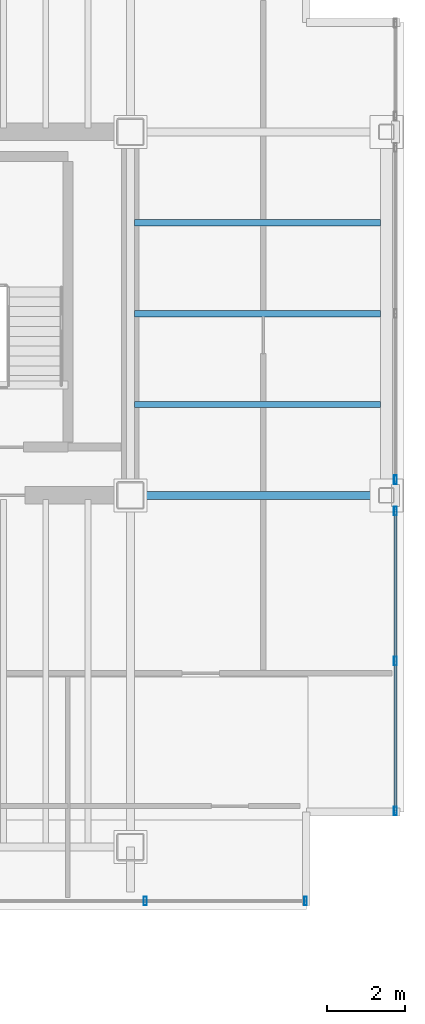
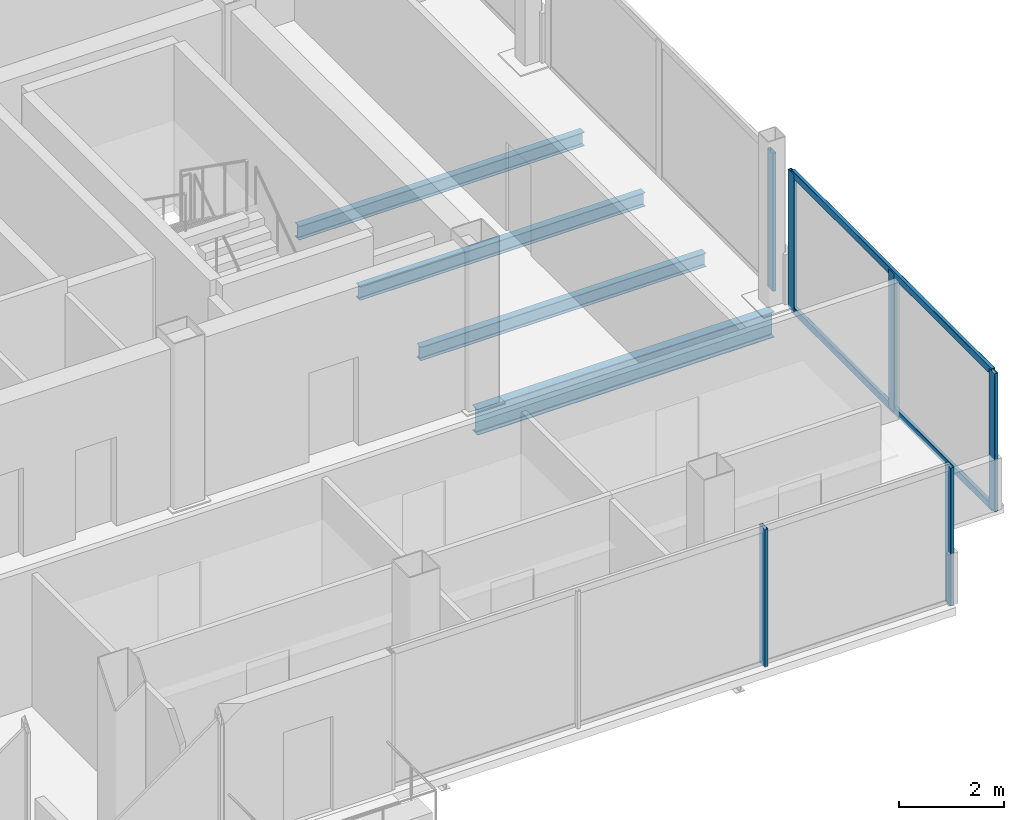
# One storey, part 11 of 17: 8 members, 4 beams, 3 elements without a shape of their own.
"""IFC4 building model written with IfcOpenShell, lengths in metres."""

from ifc_helpers import new_model, si_unit, direction, frame, origin, origin_2d, place, context, subcontext, project, spatial, hollow_rectangle, i_section, extrude, material, material_profile, profile_set, type_object, element, aggregate, save


model = new_model("IFC4")

# Units and contexts
model_context = context("Model", 3, precision=1e-05, world=origin(), true_north=direction((0.0, 1.0)))
body_context = subcontext(model_context, "Body", "Model", "MODEL_VIEW")
ifc_project = project(units=[si_unit("LENGTHUNIT", "METRE"), si_unit("AREAUNIT", "SQUARE_METRE"), si_unit("VOLUMEUNIT", "CUBIC_METRE"), si_unit("PLANEANGLEUNIT", "RADIAN"), si_unit("MASSUNIT", "GRAM", prefix="KILO")], contexts=[model_context])

# Site, building, storey
site_placement = place(None, origin())
site = spatial("IfcSite", under=ifc_project, at=site_placement, CompositionType="ELEMENT")
building_placement = place(site_placement, origin())
building = spatial("IfcBuilding", under=site, at=building_placement, Name="Noeulbin Bourse Tower", CompositionType="ELEMENT")
storey_placement = place(building_placement, frame((0.0, 0.0, 293.0)))
storey = spatial("IfcBuildingStorey", under=building, at=storey_placement, Name="L73", CompositionType="ELEMENT", Elevation=293.0)

# Beams
ifc_material_1 = material(Name="Steel S355", Category="steel")
ifc_material_profile_1 = material_profile(ifc_material_1, i_section(OverallWidth=0.199951171875, OverallDepth=0.60009765625, WebThickness=0.010986328125, FlangeThickness=0.01708984375, FilletRadius=0.02197265625, at=origin_2d()), Name="H-600x200x11x17", Category="LoadBearing")
ifc_profile_set_1 = profile_set([ifc_material_profile_1], Name="Steel S355")
beam_type_1 = type_object("IfcBeamType", Name="BM-GRD-600", PredefinedType="USERDEFINED", material=ifc_profile_set_1)
beam_placement = place(storey_placement, frame((44.0, 29.0, -0.47998046875), z_axis=(1.0, 0.0, 0.0), x_axis=(0.0, 1.0, 0.0)))
element("IfcBeam", 1, at=beam_placement, inside=storey, type_object=beam_type_1, Name="Tower Primary Girder EW L73-2.4", ObjectType="GIRDER", PredefinedType="USERDEFINED", context=body_context, shape_type="SweptSolid", body=[
    extrude(i_section(OverallWidth=0.199951171875, OverallDepth=0.60009765625, WebThickness=0.010986328125, FlangeThickness=0.01708984375, FilletRadius=0.02197265625, at=origin_2d()), origin(), (0.0, 0.0, 1.0), 6.550048828125),
])
ifc_material_profile_2 = material_profile(ifc_material_1, i_section(OverallWidth=0.159912109375, OverallDepth=0.320068359375, WebThickness=0.006591796875, FlangeThickness=0.010009765625, FilletRadius=0.012939453125, at=origin_2d()), Name="H-320x160x6.5x10", Category="LoadBearing")
ifc_profile_set_2 = profile_set([ifc_material_profile_2], Name="Steel S355")
beam_type_2 = type_object("IfcBeamType", Name="BM-JST-320", PredefinedType="JOIST", material=ifc_profile_set_2)
for number, where, z_axis, x_axis, name in (
    (2, (44.10009765625, 31.324951171875, -0.340087890625), (1.0, 0.0, 0.0), (0.0, 1.0, 0.0), "Wing Composite Joist L73-E31"),
    (3, (44.10009765625, 33.64990234375, -0.340087890625), (1.0, 0.0, 0.0), (0.0, 1.0, 0.0), "Wing Composite Joist L73-E32"),
    (4, (44.10009765625, 35.97509765625, -0.340087890625), (1.0, 0.0, 0.0), (0.0, 1.0, 0.0), "Wing Composite Joist L73-E33"),
):
    element("IfcBeam", number, at=place(storey_placement, frame(where, z_axis=z_axis, x_axis=x_axis)), inside=storey, type_object=beam_type_2, Name=name, PredefinedType="JOIST", context=body_context, shape_type="SweptSolid", body=[
        extrude(i_section(OverallWidth=0.159912109375, OverallDepth=0.320068359375, WebThickness=0.006591796875, FlangeThickness=0.010009765625, FilletRadius=0.012939453125, at=origin_2d()), origin(), (0.0, 0.0, 1.0), 6.2998046875),
    ])

# Curtain wall, members
ifc_material_2 = material(Name="High-Selectivity Low-Iron Glazing", Category="glass")
curtain_wall_type = type_object("IfcCurtainWallType", Name="CW-SYS-4", PredefinedType="NOTDEFINED", material=ifc_material_2)
curtain_wall_1_placement = place(storey_placement, origin())
curtain_wall_1 = element("IfcCurtainWall", 5, at=curtain_wall_1_placement, inside=storey, type_object=curtain_wall_type, Name="Unitised Curtain Wall CW-L73-S3", PredefinedType="NOTDEFINED")
ifc_material_3 = material(Name="Anodised Aluminium 6063-T6", Category="aluminium")
ifc_material_profile_3 = material_profile(ifc_material_3, hollow_rectangle(XDim=0.074951171875, YDim=0.219970703125, WallThickness=0.0048828125, InnerFilletRadius=0.00244140625, OuterFilletRadius=0.0048828125, at=origin_2d()), Name="ALU-MULL-75x220x5", Category="LoadBearing")
ifc_profile_set_3 = profile_set([ifc_material_profile_3], Name="Anodised Aluminium 6063-T6")
member_type_1 = type_object("IfcMemberType", Name="CW-SYS-4-MUL", PredefinedType="MULLION", material=ifc_profile_set_3)
member_1_placement = place(storey_placement, frame((44.3798828125, 18.6201171875, -0.02001953125), z_axis=(0.0, 0.0, 1.0), x_axis=(1.0, 0.0, 0.0)))
member_1 = element("IfcMember", 6, at=member_1_placement, type_object=member_type_1, Name="Curtain Wall Mullion CW-L73-S3-M02", PredefinedType="MULLION", context=body_context, shape_type="SweptSolid", body=[
    extrude(hollow_rectangle(XDim=0.074951171875, YDim=0.219970703125, WallThickness=0.0048828125, InnerFilletRadius=0.00244140625, OuterFilletRadius=0.0048828125, at=origin_2d()), origin(), (0.0, 0.0, 1.0), 3.219970703125),
])
member_2_placement = place(storey_placement, frame((48.47998046875, 18.6201171875, -0.02001953125), z_axis=(0.0, 0.0, 1.0), x_axis=(1.0, 0.0, 0.0)))
member_2 = element("IfcMember", 7, at=member_2_placement, type_object=member_type_1, Name="Curtain Wall Mullion CW-L73-S3-M03", PredefinedType="MULLION", context=body_context, shape_type="SweptSolid", body=[
    extrude(hollow_rectangle(XDim=0.074951171875, YDim=0.219970703125, WallThickness=0.0048828125, InnerFilletRadius=0.00244140625, OuterFilletRadius=0.0048828125, at=origin_2d()), origin(), (0.0, 0.0, 1.0), 3.219970703125),
])
aggregate(curtain_wall_1, [member_1, member_2])

curtain_wall_2_placement = place(storey_placement, origin())
curtain_wall_2 = element("IfcCurtainWall", 8, at=curtain_wall_2_placement, inside=storey, type_object=curtain_wall_type, Name="Unitised Curtain Wall CW-L73-E-S1", PredefinedType="NOTDEFINED")
member_3_placement = place(storey_placement, frame((50.780029296875, 20.919921875, -0.02001953125), z_axis=(0.0, 0.0, 1.0), x_axis=(1.0, 0.0, 0.0)))
member_3 = element("IfcMember", 9, at=member_3_placement, type_object=member_type_1, Name="Curtain Wall Mullion CW-L73-E-S1-M00", PredefinedType="MULLION", context=body_context, shape_type="SweptSolid", body=[
    extrude(hollow_rectangle(XDim=0.074951171875, YDim=0.219970703125, WallThickness=0.0048828125, InnerFilletRadius=0.00244140625, OuterFilletRadius=0.0048828125, at=origin_2d()), origin(), (0.0, 0.0, 1.0), 3.219970703125),
])
member_4_placement = place(storey_placement, frame((50.780029296875, 24.760009765625, -0.02001953125), z_axis=(0.0, 0.0, 1.0), x_axis=(1.0, 0.0, 0.0)))
member_4 = element("IfcMember", 10, at=member_4_placement, type_object=member_type_1, Name="Curtain Wall Mullion CW-L73-E-S1-M01", PredefinedType="MULLION", context=body_context, shape_type="SweptSolid", body=[
    extrude(hollow_rectangle(XDim=0.074951171875, YDim=0.219970703125, WallThickness=0.0048828125, InnerFilletRadius=0.00244140625, OuterFilletRadius=0.0048828125, at=origin_2d()), origin(), (0.0, 0.0, 1.0), 3.219970703125),
])
member_5_placement = place(storey_placement, frame((50.780029296875, 28.60009765625, -0.02001953125), z_axis=(0.0, 0.0, 1.0), x_axis=(1.0, 0.0, 0.0)))
member_5 = element("IfcMember", 11, at=member_5_placement, type_object=member_type_1, Name="Curtain Wall Mullion CW-L73-E-S1-M02", PredefinedType="MULLION", context=body_context, shape_type="SweptSolid", body=[
    extrude(hollow_rectangle(XDim=0.074951171875, YDim=0.219970703125, WallThickness=0.0048828125, InnerFilletRadius=0.00244140625, OuterFilletRadius=0.0048828125, at=origin_2d()), origin(), (0.0, 0.0, 1.0), 3.219970703125),
])

# Curtain wall, member
curtain_wall_3_placement = place(storey_placement, origin())
curtain_wall_3 = element("IfcCurtainWall", 12, at=curtain_wall_3_placement, inside=storey, type_object=curtain_wall_type, Name="Unitised Curtain Wall CW-L73-E-S2", PredefinedType="NOTDEFINED")
member_6_placement = place(storey_placement, frame((50.780029296875, 29.39990234375, -0.02001953125), z_axis=(0.0, 0.0, 1.0), x_axis=(1.0, 0.0, 0.0)))
member_6 = element("IfcMember", 13, at=member_6_placement, type_object=member_type_1, Name="Curtain Wall Mullion CW-L73-E-S2-M00", PredefinedType="MULLION", context=body_context, shape_type="SweptSolid", body=[
    extrude(hollow_rectangle(XDim=0.074951171875, YDim=0.219970703125, WallThickness=0.0048828125, InnerFilletRadius=0.00244140625, OuterFilletRadius=0.0048828125, at=origin_2d()), origin(), (0.0, 0.0, 1.0), 3.219970703125),
])
aggregate(curtain_wall_3, [member_6])

# Member
ifc_material_profile_4 = material_profile(ifc_material_3, hollow_rectangle(XDim=0.074951171875, YDim=0.159912109375, WallThickness=0.0048828125, InnerFilletRadius=0.00244140625, OuterFilletRadius=0.0048828125, at=origin_2d()), Name="ALU-TRAN-75x160x5", Category="LoadBearing")
ifc_profile_set_4 = profile_set([ifc_material_profile_4], Name="Anodised Aluminium 6063-T6")
member_type_2 = type_object("IfcMemberType", Name="CW-SYS-4-TRN", PredefinedType="USERDEFINED", material=ifc_profile_set_4)
member_7_placement = place(storey_placement, frame((50.780029296875, 20.929931640625, 0.010009765625), z_axis=(0.0, 1.0, 0.0), x_axis=(-1.0, 0.0, 0.0)))
member_7 = element("IfcMember", 14, at=member_7_placement, type_object=member_type_2, Name="Curtain Wall Transom CW-L73-E-S1-T00", ObjectType="TRANSOM", PredefinedType="USERDEFINED", context=body_context, shape_type="SweptSolid", body=[
    extrude(hollow_rectangle(XDim=0.074951171875, YDim=0.159912109375, WallThickness=0.0048828125, InnerFilletRadius=0.00244140625, OuterFilletRadius=0.0048828125, at=origin_2d()), origin(), (0.0, 0.0, 1.0), 7.66015625),
])

member_8_placement = place(storey_placement, frame((50.780029296875, 20.929931640625, 3.169921875), z_axis=(0.0, 1.0, 0.0), x_axis=(-1.0, 0.0, 0.0)))
member_8 = element("IfcMember", 15, at=member_8_placement, type_object=member_type_2, Name="Curtain Wall Transom CW-L73-E-S1-T01", ObjectType="TRANSOM", PredefinedType="USERDEFINED", context=body_context, shape_type="SweptSolid", body=[
    extrude(hollow_rectangle(XDim=0.074951171875, YDim=0.159912109375, WallThickness=0.0048828125, InnerFilletRadius=0.00244140625, OuterFilletRadius=0.0048828125, at=origin_2d()), origin(), (0.0, 0.0, 1.0), 7.66015625),
])

aggregate(curtain_wall_2, [member_3, member_4, member_5, member_7, member_8])

save(model, "model.ifc")
